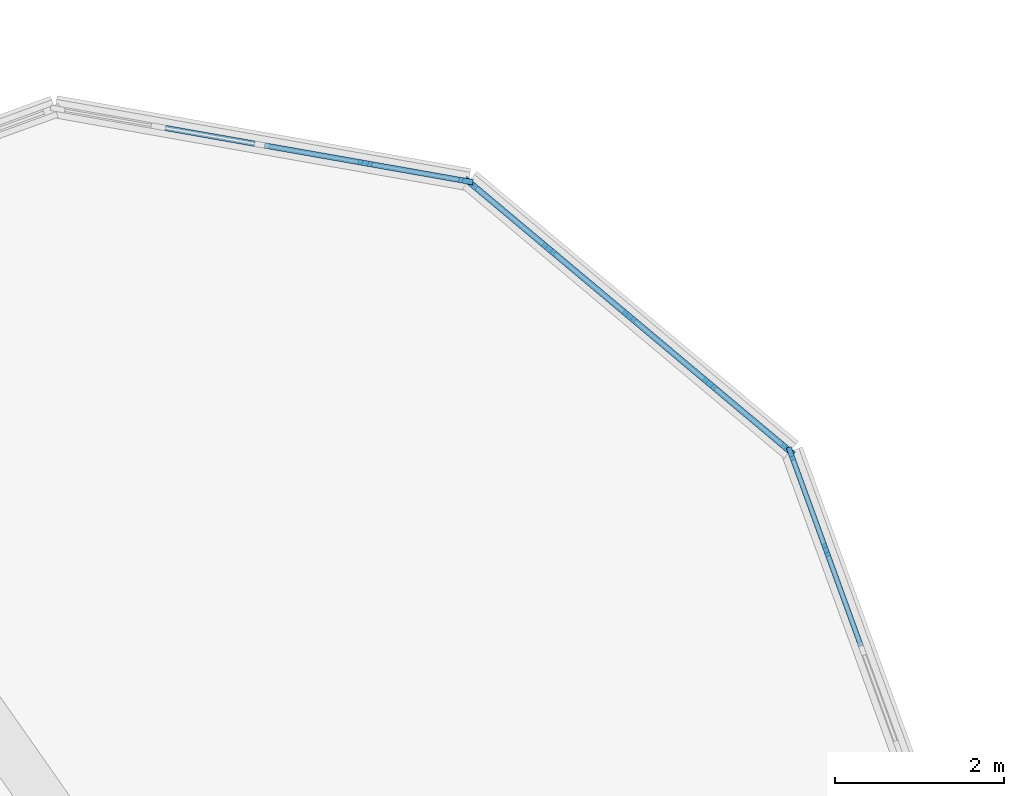
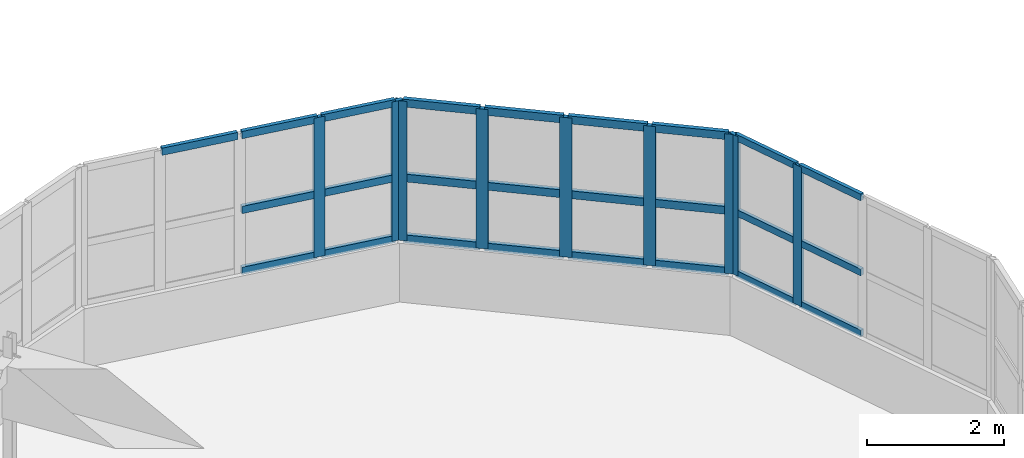
# One storey, part 30 of 79: 34 members, 3 elements without a shape of their own.
"""IFC4 building model written with IfcOpenShell, lengths in metres."""

from ifc_helpers import new_model, si_unit, direction, frame, origin, origin_2d, place, context, subcontext, project, spatial, rectangle, extrude, material, layer, layer_set, material_profile, profile_set, type_object, element, aggregate, save


model = new_model("IFC4")

# Units and contexts
model_context = context("Model", 3, precision=1e-05, world=origin(), true_north=direction((0.0, 1.0)))
body_context = subcontext(model_context, "Body", "Model", "MODEL_VIEW")
ifc_project = project(units=[si_unit("LENGTHUNIT", "METRE"), si_unit("AREAUNIT", "SQUARE_METRE"), si_unit("VOLUMEUNIT", "CUBIC_METRE"), si_unit("PLANEANGLEUNIT", "RADIAN"), si_unit("MASSUNIT", "GRAM", prefix="KILO")], contexts=[model_context])

# Site, building, storey
site_placement = place(None, origin())
site = spatial("IfcSite", under=ifc_project, at=site_placement, CompositionType="ELEMENT")
building_placement = place(site_placement, origin())
building = spatial("IfcBuilding", under=site, at=building_placement, Name="Tarnwether General Hospital", CompositionType="ELEMENT")
storey_placement = place(building_placement, frame((0.0, 0.0, 18.300048828125)))
storey = spatial("IfcBuildingStorey", under=building, at=storey_placement, Name="L04", CompositionType="ELEMENT", Elevation=18.300048828125)

# Curtain wall, members
ifc_material_1 = material(Name="Anodised aluminium", Category="aluminium")
ifc_layer = layer(ifc_material_1, 0.159912109375)
ifc_layer_set = layer_set([ifc_layer], Name="Anodised aluminium")
curtain_wall_type = type_object("IfcCurtainWallType", Name="CW-03", PredefinedType="NOTDEFINED", material=ifc_layer_set)
curtain_wall_1_placement = place(storey_placement, origin())
curtain_wall_1 = element("IfcCurtainWall", 1, at=curtain_wall_1_placement, inside=storey, type_object=curtain_wall_type, Name="Curtain Wall CWG-L04-1297_259-0198", PredefinedType="NOTDEFINED")
ifc_material_2 = material(Name="Anodised aluminium", Category="aluminium")
ifc_material_profile_1 = material_profile(ifc_material_2, rectangle(XDim=0.06005859375, YDim=0.159912109375, at=origin_2d()), Name="ALU-MUL-60x160")
ifc_profile_set_1 = profile_set([ifc_material_profile_1], Name="Anodised aluminium")
member_type_1 = type_object("IfcMemberType", Name="CW-ML1", PredefinedType="MULLION", material=ifc_profile_set_1)
member_1_placement = place(storey_placement, frame((129.7001953125, 25.8818359375, 1.050048828125), z_axis=(0.0, 0.0, 1.0), x_axis=(0.939717006582, 0.341953136469, 0.0)))
member_1 = element("IfcMember", 2, at=member_1_placement, type_object=member_type_1, Name="CW-03 mullion 1", PredefinedType="MULLION", context=body_context, shape_type="SweptSolid", body=[
    extrude(rectangle(XDim=0.06005859375, YDim=0.159912109375, at=origin_2d()), origin(), (0.0, 0.0, 1.0), 2.489990234375),
])
member_2_placement = place(storey_placement, frame((130.11474609375, 24.74267578125, 1.050048828125), z_axis=(0.0, 0.0, 1.0), x_axis=(0.939717006582, 0.341953136469, 0.0)))
member_2 = element("IfcMember", 3, at=member_2_placement, type_object=member_type_1, Name="CW-03 mullion 2", PredefinedType="MULLION", context=body_context, shape_type="SweptSolid", body=[
    extrude(rectangle(XDim=0.06005859375, YDim=0.159912109375, at=origin_2d()), origin(), (0.0, 0.0, 1.0), 2.489990234375),
])

curtain_wall_2_placement = place(storey_placement, origin())
curtain_wall_2 = element("IfcCurtainWall", 4, at=curtain_wall_2_placement, inside=storey, type_object=curtain_wall_type, Name="Curtain Wall CWG-L04-1259_291-0199", PredefinedType="NOTDEFINED")
ifc_material_3 = material(Name="Anodised aluminium", Category="aluminium")
ifc_material_profile_2 = material_profile(ifc_material_3, rectangle(XDim=0.070068359375, YDim=0.179931640625, at=origin_2d()), Name="ALU-MUL-70x180")
ifc_profile_set_2 = profile_set([ifc_material_profile_2], Name="Anodised aluminium")
member_type_2 = type_object("IfcMemberType", Name="CW-ML2", PredefinedType="MULLION", material=ifc_profile_set_2)
member_3_placement = place(storey_placement, frame((125.909912109375, 29.08251953125, 1.050048828125), z_axis=(0.0, 0.0, 1.0), x_axis=(0.64285227611, 0.765990176896, 0.0)))
member_3 = element("IfcMember", 5, at=member_3_placement, type_object=member_type_2, Name="CW-03 mullion 1", PredefinedType="MULLION", context=body_context, shape_type="SweptSolid", body=[
    extrude(rectangle(XDim=0.070068359375, YDim=0.179931640625, at=origin_2d()), origin(), (0.0, 0.0, 1.0), 2.489990234375),
])
member_4_placement = place(storey_placement, frame((126.834716796875, 28.30615234375, 1.050048828125), z_axis=(0.0, 0.0, 1.0), x_axis=(0.64285227611, 0.765990176896, 0.0)))
member_4 = element("IfcMember", 6, at=member_4_placement, type_object=member_type_2, Name="CW-03 mullion 2", PredefinedType="MULLION", context=body_context, shape_type="SweptSolid", body=[
    extrude(rectangle(XDim=0.070068359375, YDim=0.179931640625, at=origin_2d()), origin(), (0.0, 0.0, 1.0), 2.489990234375),
])
member_5_placement = place(storey_placement, frame((127.78662109375, 27.507568359375, 1.050048828125), z_axis=(0.0, 0.0, 1.0), x_axis=(0.64285227611, 0.765990176896, 0.0)))
member_5 = element("IfcMember", 7, at=member_5_placement, type_object=member_type_2, Name="CW-03 mullion 3", PredefinedType="MULLION", context=body_context, shape_type="SweptSolid", body=[
    extrude(rectangle(XDim=0.070068359375, YDim=0.179931640625, at=origin_2d()), origin(), (0.0, 0.0, 1.0), 2.489990234375),
])
member_6_placement = place(storey_placement, frame((128.73828125, 26.708740234375, 1.050048828125), z_axis=(0.0, 0.0, 1.0), x_axis=(0.64285227611, 0.765990176896, 0.0)))
member_6 = element("IfcMember", 8, at=member_6_placement, type_object=member_type_2, Name="CW-03 mullion 4", PredefinedType="MULLION", context=body_context, shape_type="SweptSolid", body=[
    extrude(rectangle(XDim=0.070068359375, YDim=0.179931640625, at=origin_2d()), origin(), (0.0, 0.0, 1.0), 2.489990234375),
])
member_7_placement = place(storey_placement, frame((129.6630859375, 25.9326171875, 1.050048828125), z_axis=(0.0, 0.0, 1.0), x_axis=(0.64285227611, 0.765990176896, 0.0)))
member_7 = element("IfcMember", 9, at=member_7_placement, type_object=member_type_2, Name="CW-03 mullion 5", PredefinedType="MULLION", context=body_context, shape_type="SweptSolid", body=[
    extrude(rectangle(XDim=0.070068359375, YDim=0.179931640625, at=origin_2d()), origin(), (0.0, 0.0, 1.0), 2.489990234375),
])

curtain_wall_3_placement = place(storey_placement, origin())
curtain_wall_3 = element("IfcCurtainWall", 10, at=curtain_wall_3_placement, inside=storey, type_object=curtain_wall_type, Name="Curtain Wall CWG-L04-1210_300-0200", PredefinedType="NOTDEFINED")
ifc_material_4 = material(Name="Anodised aluminium", Category="aluminium")
ifc_material_profile_3 = material_profile(ifc_material_4, rectangle(XDim=0.06494140625, YDim=0.169921875, at=origin_2d()), Name="ALU-MUL-65x170")
ifc_profile_set_3 = profile_set([ifc_material_profile_3], Name="Anodised aluminium")
member_type_3 = type_object("IfcMemberType", Name="CW-ML3", PredefinedType="MULLION", material=ifc_profile_set_3)
member_8_placement = place(storey_placement, frame((124.659423828125, 29.32080078125, 1.050048828125), z_axis=(0.0, 0.0, 1.0), x_axis=(0.173659059054, 0.984805834268, 0.0)))
member_8 = element("IfcMember", 11, at=member_8_placement, type_object=member_type_3, Name="CW-03 mullion 4", PredefinedType="MULLION", context=body_context, shape_type="SweptSolid", body=[
    extrude(rectangle(XDim=0.06494140625, YDim=0.169921875, at=origin_2d()), origin(), (0.0, 0.0, 1.0), 2.489990234375),
])
member_9_placement = place(storey_placement, frame((125.85107421875, 29.110595703125, 1.050048828125), z_axis=(0.0, 0.0, 1.0), x_axis=(0.173659059054, 0.984805834268, 0.0)))
member_9 = element("IfcMember", 12, at=member_9_placement, type_object=member_type_3, Name="CW-03 mullion 5", PredefinedType="MULLION", context=body_context, shape_type="SweptSolid", body=[
    extrude(rectangle(XDim=0.06494140625, YDim=0.169921875, at=origin_2d()), origin(), (0.0, 0.0, 1.0), 2.489990234375),
])

# Member
ifc_material_5 = material(Name="Anodised aluminium", Category="aluminium")
ifc_material_profile_4 = material_profile(ifc_material_5, rectangle(XDim=0.06005859375, YDim=0.1201171875, at=origin_2d()), Name="ALU-TRN-60x120")
ifc_profile_set_4 = profile_set([ifc_material_profile_4], Name="Anodised aluminium")
member_type_4 = type_object("IfcMemberType", Name="CW-TR1", PredefinedType="USERDEFINED", material=ifc_profile_set_4)
member_10_placement = place(storey_placement, frame((129.71044921875, 25.853515625, 1.079833984375), z_axis=(0.342049332837, -0.939681996159, 0.0), x_axis=(0.939681996159, 0.342049332837, 0.0)))
member_10 = element("IfcMember", 13, at=member_10_placement, type_object=member_type_4, Name="CW-03 transom 1.1", ObjectType="TRANSOM", PredefinedType="USERDEFINED", context=body_context, shape_type="SweptSolid", body=[
    extrude(rectangle(XDim=0.06005859375, YDim=0.1201171875, at=origin_2d()), origin(), (0.0, 0.0, 1.0), 1.152099609375),
])

member_11_placement = place(storey_placement, frame((129.71044921875, 25.853515625, 2.17041015625), z_axis=(0.342049332837, -0.939681996159, 0.0), x_axis=(0.939681996159, 0.342049332837, 0.0)))
member_11 = element("IfcMember", 14, at=member_11_placement, type_object=member_type_4, Name="CW-03 transom 1.2", ObjectType="TRANSOM", PredefinedType="USERDEFINED", context=body_context, shape_type="SweptSolid", body=[
    extrude(rectangle(XDim=0.06005859375, YDim=0.1201171875, at=origin_2d()), origin(), (0.0, 0.0, 1.0), 1.152099609375),
])

member_12_placement = place(storey_placement, frame((129.71044921875, 25.853515625, 3.510009765625), z_axis=(0.342049332837, -0.939681996159, 0.0), x_axis=(0.939681996159, 0.342049332837, 0.0)))
member_12 = element("IfcMember", 15, at=member_12_placement, type_object=member_type_4, Name="CW-03 transom 1.3", ObjectType="TRANSOM", PredefinedType="USERDEFINED", context=body_context, shape_type="SweptSolid", body=[
    extrude(rectangle(XDim=0.06005859375, YDim=0.1201171875, at=origin_2d()), origin(), (0.0, 0.0, 1.0), 1.152099609375),
])

member_13_placement = place(storey_placement, frame((130.125, 24.714599609375, 1.079833984375), z_axis=(0.342008368559, -0.939696906367, 0.0), x_axis=(0.939696906367, 0.342008368559, 0.0)))
member_13 = element("IfcMember", 16, at=member_13_placement, type_object=member_type_4, Name="CW-03 transom 2.1", ObjectType="TRANSOM", PredefinedType="USERDEFINED", context=body_context, shape_type="SweptSolid", body=[
    extrude(rectangle(XDim=0.06005859375, YDim=0.1201171875, at=origin_2d()), origin(), (0.0, 0.0, 1.0), 1.18212890625),
])

member_14_placement = place(storey_placement, frame((130.125, 24.714599609375, 2.17041015625), z_axis=(0.342008368559, -0.939696906367, 0.0), x_axis=(0.939696906367, 0.342008368559, 0.0)))
member_14 = element("IfcMember", 17, at=member_14_placement, type_object=member_type_4, Name="CW-03 transom 2.2", ObjectType="TRANSOM", PredefinedType="USERDEFINED", context=body_context, shape_type="SweptSolid", body=[
    extrude(rectangle(XDim=0.06005859375, YDim=0.1201171875, at=origin_2d()), origin(), (0.0, 0.0, 1.0), 1.18212890625),
])

member_15_placement = place(storey_placement, frame((130.125, 24.714599609375, 3.510009765625), z_axis=(0.342008368559, -0.939696906367, 0.0), x_axis=(0.939696906367, 0.342008368559, 0.0)))
member_15 = element("IfcMember", 18, at=member_15_placement, type_object=member_type_4, Name="CW-03 transom 2.3", ObjectType="TRANSOM", PredefinedType="USERDEFINED", context=body_context, shape_type="SweptSolid", body=[
    extrude(rectangle(XDim=0.06005859375, YDim=0.1201171875, at=origin_2d()), origin(), (0.0, 0.0, 1.0), 1.18212890625),
])

aggregate(curtain_wall_1, [member_1, member_2, member_10, member_11, member_12, member_13, member_14, member_15])

ifc_material_6 = material(Name="Anodised aluminium", Category="aluminium")
ifc_material_profile_5 = material_profile(ifc_material_6, rectangle(XDim=0.070068359375, YDim=0.139892578125, at=origin_2d()), Name="ALU-TRN-70x140")
ifc_profile_set_5 = profile_set([ifc_material_profile_5], Name="Anodised aluminium")
member_type_5 = type_object("IfcMemberType", Name="CW-TR2", PredefinedType="USERDEFINED", material=ifc_profile_set_5)
member_16_placement = place(storey_placement, frame((125.9365234375, 29.06005859375, 1.0849609375), z_axis=(0.766017660128, -0.642819527062, 0.0), x_axis=(0.642819527062, 0.766017660128, 0.0)))
member_16 = element("IfcMember", 19, at=member_16_placement, type_object=member_type_5, Name="CW-03 transom 1.1", ObjectType="TRANSOM", PredefinedType="USERDEFINED", context=body_context, shape_type="SweptSolid", body=[
    extrude(rectangle(XDim=0.070068359375, YDim=0.139892578125, at=origin_2d()), origin(), (0.0, 0.0, 1.0), 1.137451171875),
])

member_17_placement = place(storey_placement, frame((125.9365234375, 29.06005859375, 2.17041015625), z_axis=(0.766017660128, -0.642819527062, 0.0), x_axis=(0.642819527062, 0.766017660128, 0.0)))
member_17 = element("IfcMember", 20, at=member_17_placement, type_object=member_type_5, Name="CW-03 transom 1.2", ObjectType="TRANSOM", PredefinedType="USERDEFINED", context=body_context, shape_type="SweptSolid", body=[
    extrude(rectangle(XDim=0.070068359375, YDim=0.139892578125, at=origin_2d()), origin(), (0.0, 0.0, 1.0), 1.137451171875),
])

member_18_placement = place(storey_placement, frame((125.9365234375, 29.06005859375, 3.5048828125), z_axis=(0.766017660128, -0.642819527062, 0.0), x_axis=(0.642819527062, 0.766017660128, 0.0)))
member_18 = element("IfcMember", 21, at=member_18_placement, type_object=member_type_5, Name="CW-03 transom 1.3", ObjectType="TRANSOM", PredefinedType="USERDEFINED", context=body_context, shape_type="SweptSolid", body=[
    extrude(rectangle(XDim=0.070068359375, YDim=0.139892578125, at=origin_2d()), origin(), (0.0, 0.0, 1.0), 1.137451171875),
])

member_19_placement = place(storey_placement, frame((126.861572265625, 28.28369140625, 1.0849609375), z_axis=(0.766049317662, -0.642781800387, 0.0), x_axis=(0.642781800387, 0.766049317662, 0.0)))
member_19 = element("IfcMember", 22, at=member_19_placement, type_object=member_type_5, Name="CW-03 transom 2.1", ObjectType="TRANSOM", PredefinedType="USERDEFINED", context=body_context, shape_type="SweptSolid", body=[
    extrude(rectangle(XDim=0.070068359375, YDim=0.139892578125, at=origin_2d()), origin(), (0.0, 0.0, 1.0), 1.172607421875),
])

member_20_placement = place(storey_placement, frame((126.861572265625, 28.28369140625, 2.17041015625), z_axis=(0.766049317662, -0.642781800387, 0.0), x_axis=(0.642781800387, 0.766049317662, 0.0)))
member_20 = element("IfcMember", 23, at=member_20_placement, type_object=member_type_5, Name="CW-03 transom 2.2", ObjectType="TRANSOM", PredefinedType="USERDEFINED", context=body_context, shape_type="SweptSolid", body=[
    extrude(rectangle(XDim=0.070068359375, YDim=0.139892578125, at=origin_2d()), origin(), (0.0, 0.0, 1.0), 1.172607421875),
])

member_21_placement = place(storey_placement, frame((126.861572265625, 28.28369140625, 3.5048828125), z_axis=(0.766049317662, -0.642781800387, 0.0), x_axis=(0.642781800387, 0.766049317662, 0.0)))
member_21 = element("IfcMember", 24, at=member_21_placement, type_object=member_type_5, Name="CW-03 transom 2.3", ObjectType="TRANSOM", PredefinedType="USERDEFINED", context=body_context, shape_type="SweptSolid", body=[
    extrude(rectangle(XDim=0.070068359375, YDim=0.139892578125, at=origin_2d()), origin(), (0.0, 0.0, 1.0), 1.172607421875),
])

member_22_placement = place(storey_placement, frame((127.813232421875, 27.485107421875, 1.0849609375), z_axis=(0.765946792519, -0.642903967191, 0.0), x_axis=(0.642903967191, 0.765946792519, 0.0)))
member_22 = element("IfcMember", 25, at=member_22_placement, type_object=member_type_5, Name="CW-03 transom 3.1", ObjectType="TRANSOM", PredefinedType="USERDEFINED", context=body_context, shape_type="SweptSolid", body=[
    extrude(rectangle(XDim=0.070068359375, YDim=0.139892578125, at=origin_2d()), origin(), (0.0, 0.0, 1.0), 1.172607421875),
])

member_23_placement = place(storey_placement, frame((127.813232421875, 27.485107421875, 2.17041015625), z_axis=(0.765946792519, -0.642903967191, 0.0), x_axis=(0.642903967191, 0.765946792519, 0.0)))
member_23 = element("IfcMember", 26, at=member_23_placement, type_object=member_type_5, Name="CW-03 transom 3.2", ObjectType="TRANSOM", PredefinedType="USERDEFINED", context=body_context, shape_type="SweptSolid", body=[
    extrude(rectangle(XDim=0.070068359375, YDim=0.139892578125, at=origin_2d()), origin(), (0.0, 0.0, 1.0), 1.172607421875),
])

member_24_placement = place(storey_placement, frame((127.813232421875, 27.485107421875, 3.5048828125), z_axis=(0.765946792519, -0.642903967191, 0.0), x_axis=(0.642903967191, 0.765946792519, 0.0)))
member_24 = element("IfcMember", 27, at=member_24_placement, type_object=member_type_5, Name="CW-03 transom 3.3", ObjectType="TRANSOM", PredefinedType="USERDEFINED", context=body_context, shape_type="SweptSolid", body=[
    extrude(rectangle(XDim=0.070068359375, YDim=0.139892578125, at=origin_2d()), origin(), (0.0, 0.0, 1.0), 1.172607421875),
])

member_25_placement = place(storey_placement, frame((128.76513671875, 26.686279296875, 1.0849609375), z_axis=(0.766017660128, -0.642819527062, 0.0), x_axis=(0.642819527062, 0.766017660128, 0.0)))
member_25 = element("IfcMember", 28, at=member_25_placement, type_object=member_type_5, Name="CW-03 transom 4.1", ObjectType="TRANSOM", PredefinedType="USERDEFINED", context=body_context, shape_type="SweptSolid", body=[
    extrude(rectangle(XDim=0.070068359375, YDim=0.139892578125, at=origin_2d()), origin(), (0.0, 0.0, 1.0), 1.137451171875),
])

member_26_placement = place(storey_placement, frame((128.76513671875, 26.686279296875, 2.17041015625), z_axis=(0.766017660128, -0.642819527062, 0.0), x_axis=(0.642819527062, 0.766017660128, 0.0)))
member_26 = element("IfcMember", 29, at=member_26_placement, type_object=member_type_5, Name="CW-03 transom 4.2", ObjectType="TRANSOM", PredefinedType="USERDEFINED", context=body_context, shape_type="SweptSolid", body=[
    extrude(rectangle(XDim=0.070068359375, YDim=0.139892578125, at=origin_2d()), origin(), (0.0, 0.0, 1.0), 1.137451171875),
])

member_27_placement = place(storey_placement, frame((128.76513671875, 26.686279296875, 3.5048828125), z_axis=(0.766017660128, -0.642819527062, 0.0), x_axis=(0.642819527062, 0.766017660128, 0.0)))
member_27 = element("IfcMember", 30, at=member_27_placement, type_object=member_type_5, Name="CW-03 transom 4.3", ObjectType="TRANSOM", PredefinedType="USERDEFINED", context=body_context, shape_type="SweptSolid", body=[
    extrude(rectangle(XDim=0.070068359375, YDim=0.139892578125, at=origin_2d()), origin(), (0.0, 0.0, 1.0), 1.137451171875),
])

aggregate(curtain_wall_2, [member_3, member_4, member_5, member_6, member_7, member_16, member_17, member_18, member_19, member_20, member_21, member_22, member_23, member_24, member_25, member_26, member_27])

ifc_material_7 = material(Name="Anodised aluminium", Category="aluminium")
ifc_material_profile_6 = material_profile(ifc_material_7, rectangle(XDim=0.06494140625, YDim=0.1298828125, at=origin_2d()), Name="ALU-TRN-65x130")
ifc_profile_set_6 = profile_set([ifc_material_profile_6], Name="Anodised aluminium")
member_type_6 = type_object("IfcMemberType", Name="CW-TR3", PredefinedType="USERDEFINED", material=ifc_profile_set_6)
member_28_placement = place(storey_placement, frame((122.244384765625, 29.74658203125, 3.507568359375), z_axis=(0.984827359444, -0.173536947338, 0.0), x_axis=(0.173536947338, 0.984827359444, 0.0)))
member_28 = element("IfcMember", 31, at=member_28_placement, type_object=member_type_6, Name="CW-03 transom 2.3", ObjectType="TRANSOM", PredefinedType="USERDEFINED", context=body_context, shape_type="SweptSolid", body=[
    extrude(rectangle(XDim=0.06494140625, YDim=0.1298828125, at=origin_2d()), origin(), (0.0, 0.0, 1.0), 1.177490234375),
])

member_29_placement = place(storey_placement, frame((123.468017578125, 29.53076171875, 1.08251953125), z_axis=(0.98482111371, -0.173572388329, 0.0), x_axis=(0.173572388329, 0.98482111371, 0.0)))
member_29 = element("IfcMember", 32, at=member_29_placement, type_object=member_type_6, Name="CW-03 transom 3.1", ObjectType="TRANSOM", PredefinedType="USERDEFINED", context=body_context, shape_type="SweptSolid", body=[
    extrude(rectangle(XDim=0.06494140625, YDim=0.1298828125, at=origin_2d()), origin(), (0.0, 0.0, 1.0), 1.17724609375),
])

member_30_placement = place(storey_placement, frame((123.468017578125, 29.53076171875, 2.17041015625), z_axis=(0.98482111371, -0.173572388329, 0.0), x_axis=(0.173572388329, 0.98482111371, 0.0)))
member_30 = element("IfcMember", 33, at=member_30_placement, type_object=member_type_6, Name="CW-03 transom 3.2", ObjectType="TRANSOM", PredefinedType="USERDEFINED", context=body_context, shape_type="SweptSolid", body=[
    extrude(rectangle(XDim=0.06494140625, YDim=0.1298828125, at=origin_2d()), origin(), (0.0, 0.0, 1.0), 1.17724609375),
])

member_31_placement = place(storey_placement, frame((123.468017578125, 29.53076171875, 3.507568359375), z_axis=(0.98482111371, -0.173572388329, 0.0), x_axis=(0.173572388329, 0.98482111371, 0.0)))
member_31 = element("IfcMember", 34, at=member_31_placement, type_object=member_type_6, Name="CW-03 transom 3.3", ObjectType="TRANSOM", PredefinedType="USERDEFINED", context=body_context, shape_type="SweptSolid", body=[
    extrude(rectangle(XDim=0.06494140625, YDim=0.1298828125, at=origin_2d()), origin(), (0.0, 0.0, 1.0), 1.17724609375),
])

member_32_placement = place(storey_placement, frame((124.69140625, 29.315185546875, 1.08251953125), z_axis=(0.984787851209, -0.173761008603, 0.0), x_axis=(0.173761008603, 0.984787851209, 0.0)))
member_32 = element("IfcMember", 35, at=member_32_placement, type_object=member_type_6, Name="CW-03 transom 4.1", ObjectType="TRANSOM", PredefinedType="USERDEFINED", context=body_context, shape_type="SweptSolid", body=[
    extrude(rectangle(XDim=0.06494140625, YDim=0.1298828125, at=origin_2d()), origin(), (0.0, 0.0, 1.0), 1.14501953125),
])

member_33_placement = place(storey_placement, frame((124.69140625, 29.315185546875, 2.17041015625), z_axis=(0.984787851209, -0.173761008603, 0.0), x_axis=(0.173761008603, 0.984787851209, 0.0)))
member_33 = element("IfcMember", 36, at=member_33_placement, type_object=member_type_6, Name="CW-03 transom 4.2", ObjectType="TRANSOM", PredefinedType="USERDEFINED", context=body_context, shape_type="SweptSolid", body=[
    extrude(rectangle(XDim=0.06494140625, YDim=0.1298828125, at=origin_2d()), origin(), (0.0, 0.0, 1.0), 1.14501953125),
])

member_34_placement = place(storey_placement, frame((124.69140625, 29.315185546875, 3.507568359375), z_axis=(0.984787851209, -0.173761008603, 0.0), x_axis=(0.173761008603, 0.984787851209, 0.0)))
member_34 = element("IfcMember", 37, at=member_34_placement, type_object=member_type_6, Name="CW-03 transom 4.3", ObjectType="TRANSOM", PredefinedType="USERDEFINED", context=body_context, shape_type="SweptSolid", body=[
    extrude(rectangle(XDim=0.06494140625, YDim=0.1298828125, at=origin_2d()), origin(), (0.0, 0.0, 1.0), 1.14501953125),
])

aggregate(curtain_wall_3, [member_8, member_9, member_28, member_29, member_30, member_31, member_32, member_33, member_34])

save(model, "model.ifc")
